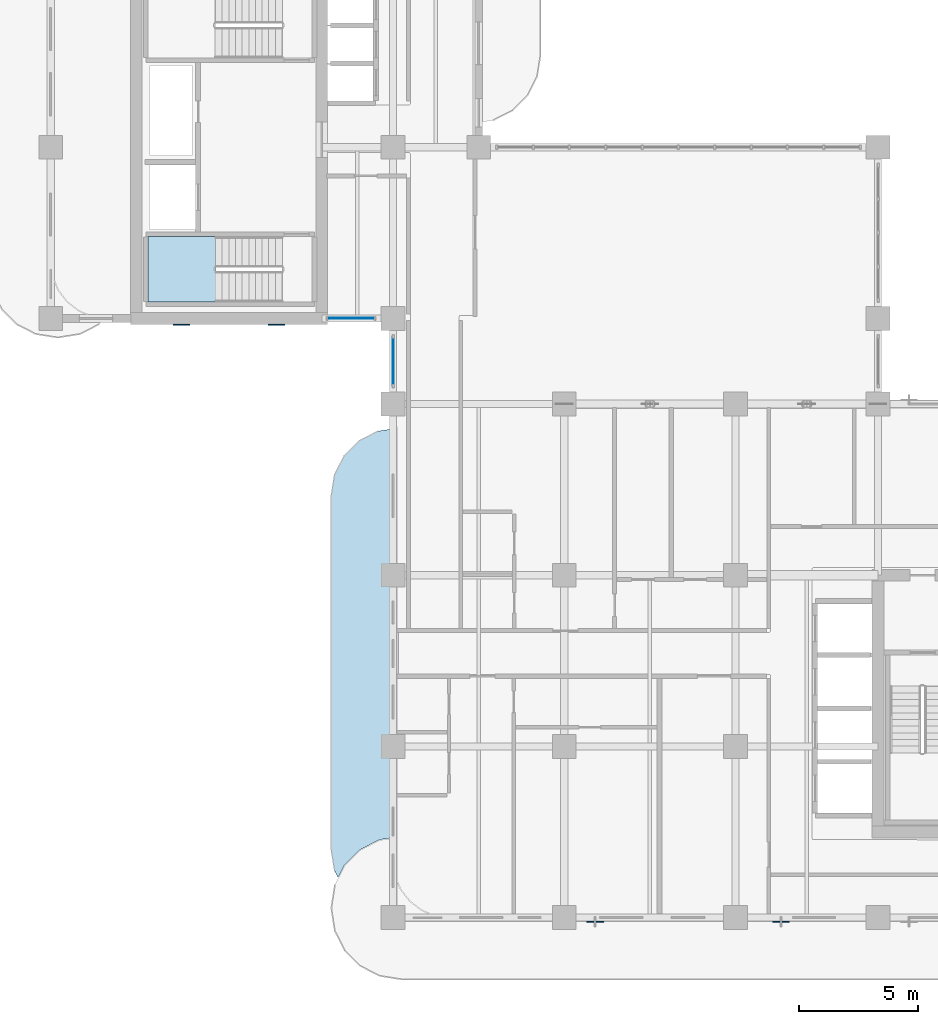
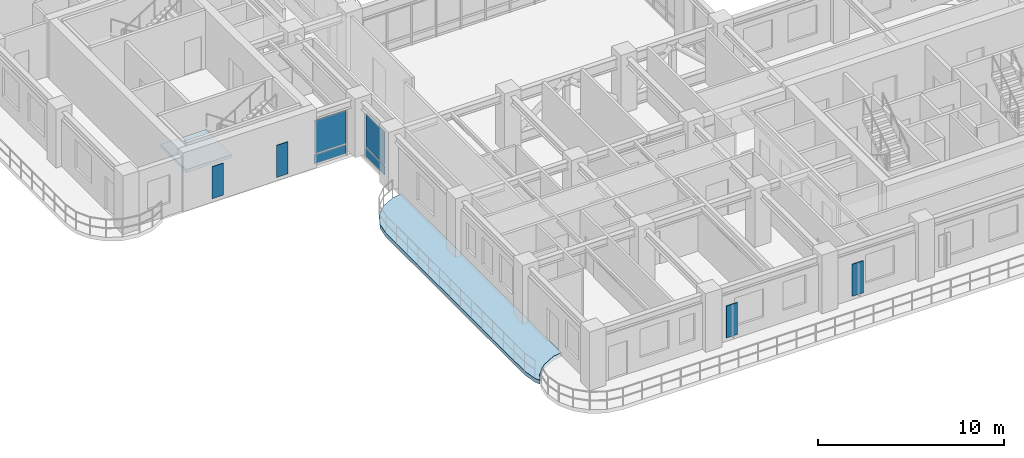
# One storey, part 5 of 17: 8 plates, 2 slabs, 3 elements without a shape of their own.
"""IFC4 building model written with IfcOpenShell, lengths in metres."""

import ifcopenshell
import ifcopenshell.guid

model = None  # the IFC model being written
_history = None  # IfcOwnerHistory: only IFC2X3 demands one
_inside = {}  # id of a spatial element -> (the spatial element, [elements in it])
_under = {}  # id of a project, library or spatial element -> (it, [spatial elements below it])
_declared = {}  # id of a project -> (the project, [libraries it declares])
_typed = {}  # id of a type object -> (the type object, [elements of that type])
_made_of = {}  # id of a material, layer set ... -> (it, [elements and type objects made of it])


def new_model(schema):
    """Start an empty IFC model of exactly this schema.

    Asked for "IFC4X3", IfcOpenShell would pick the latest addendum, in which some entities
    have other attributes; the version numbers below select the first issue.
    IFC2X3 requires an IfcOwnerHistory on every rooted entity: one is made here for all.
    """
    global model, _history
    if schema == "IFC4X3":
        model = ifcopenshell.file(schema_version=(4, 3, 0, 0))
    else:
        model = ifcopenshell.file(schema=schema)
    _inside.clear()
    _under.clear()
    _declared.clear()
    _typed.clear()
    _made_of.clear()
    _history = None
    if model.schema == "IFC2X3":
        org = make("IfcOrganization", Name="unknown")
        user = make(
            "IfcPersonAndOrganization",
            ThePerson=make("IfcPerson", FamilyName="unknown"),
            TheOrganization=org,
        )
        app = make(
            "IfcApplication",
            ApplicationDeveloper=org,
            Version="unknown",
            ApplicationFullName="unknown",
            ApplicationIdentifier="unknown",
        )
        _history = make(
            "IfcOwnerHistory",
            OwningUser=user,
            OwningApplication=app,
            ChangeAction="ADDED",
            CreationDate=0,
        )
    return model


def make(cls, **values):
    """One entity of the class cls with the attributes given. An attribute that is None is left unset."""
    return model.create_entity(
        cls, **{name: value for name, value in values.items() if value is not None}
    )


def rooted(cls, **values):
    """An entity with a GlobalId (a new one), such as an element, a storey or a relation."""
    return make(cls, GlobalId=ifcopenshell.guid.new(), OwnerHistory=_history, **values)


def si_unit(unit_type, name, prefix=None):
    """IfcSIUnit, for example si_unit("LENGTHUNIT", "METRE", prefix="MILLI")."""
    return make("IfcSIUnit", UnitType=unit_type, Prefix=prefix, Name=name)


def derived_unit(unit_type, elements):
    """IfcDerivedUnit: a product of units, each with its exponent."""
    return make(
        "IfcDerivedUnit",
        Elements=[
            make("IfcDerivedUnitElement", Unit=unit, Exponent=power)
            for unit, power in elements
        ],
        UnitType=unit_type,
    )


def assignment(units):
    """IfcUnitAssignment: the units of a project."""
    return None if units is None else make("IfcUnitAssignment", Units=units)


def point(xyz):
    """IfcCartesianPoint."""
    return None if xyz is None else make("IfcCartesianPoint", Coordinates=xyz)


def direction(xyz):
    """IfcDirection."""
    return None if xyz is None else make("IfcDirection", DirectionRatios=xyz)


def frame(location, z_axis=None, x_axis=None):
    """IfcAxis2Placement3D, a coordinate frame: its origin and axes. An axis left out is left unset."""
    return make(
        "IfcAxis2Placement3D",
        Location=point(location),
        Axis=direction(z_axis),
        RefDirection=direction(x_axis),
    )


def frame_2d(location, x_axis=None):
    """IfcAxis2Placement2D, a coordinate frame in the plane: its origin and x axis."""
    return make(
        "IfcAxis2Placement2D", Location=point(location), RefDirection=direction(x_axis)
    )


def origin():
    """The frame at (0, 0, 0) with its axes left unset."""
    return frame((0.0, 0.0, 0.0))


def origin_2d():
    """The frame at (0, 0) in the plane with its x axis left unset."""
    return frame_2d((0.0, 0.0))


def place(relative_to, where):
    """IfcLocalPlacement: puts the frame where relative to a parent placement (None: the world)."""
    return make(
        "IfcLocalPlacement", PlacementRelTo=relative_to, RelativePlacement=where
    )


def context(
    kind, dimensions, precision=None, world=None, true_north=None, identifier=None
):
    """IfcGeometricRepresentationContext, for example the 3D "Model" context."""
    return make(
        "IfcGeometricRepresentationContext",
        ContextIdentifier=identifier,
        ContextType=kind,
        CoordinateSpaceDimension=dimensions,
        Precision=precision,
        WorldCoordinateSystem=world,
        TrueNorth=true_north,
    )


def subcontext(parent, identifier, kind, view, scale=None):
    """IfcGeometricRepresentationSubContext, for example "Body" below "Model"."""
    return make(
        "IfcGeometricRepresentationSubContext",
        ContextIdentifier=identifier,
        ContextType=kind,
        ParentContext=parent,
        TargetScale=scale,
        TargetView=view,
    )


def project(units=None, contexts=None):
    """IfcProject with its units and contexts."""
    return rooted(
        "IfcProject",
        Name="project",
        RepresentationContexts=contexts,
        UnitsInContext=assignment(units),
    )


def spatial(cls, under=None, at=None, **own):
    """A site, building, storey or space (cls), placed at a placement, below another one or the project."""
    s = rooted(cls, ObjectPlacement=at, **own)
    if under is not None:
        _under.setdefault(under.id(), (under, []))[1].append(s)
    return s


def polyline(points):
    """IfcPolyline through the points."""
    return make("IfcPolyline", Points=[point(p) for p in points])


def profile(cls, at=None, kind="AREA", **sizes):
    """A parametric profile (cls). Its sizes go by their IFC names, for example OverallWidth=200.0."""
    return make(cls, ProfileType=kind, Position=at, **sizes)


def rectangle(**sizes):
    """IfcRectangleProfileDef."""
    return profile("IfcRectangleProfileDef", **sizes)


def outline(outer, holes=None, kind="AREA"):
    """IfcArbitraryClosedProfileDef: a profile drawn as a closed curve; with holes, ...WithVoids."""
    if holes is None:
        return make("IfcArbitraryClosedProfileDef", ProfileType=kind, OuterCurve=outer)
    return make(
        "IfcArbitraryProfileDefWithVoids",
        ProfileType=kind,
        OuterCurve=outer,
        InnerCurves=holes,
    )


def extrude(swept, where, along, depth):
    """IfcExtrudedAreaSolid: the profile swept, set in the frame where, extruded along a direction by depth."""
    return make(
        "IfcExtrudedAreaSolid",
        SweptArea=swept,
        Position=where,
        ExtrudedDirection=direction(along),
        Depth=depth,
    )


def shape(context_of_items, identifier, shape_type, items):
    """IfcShapeRepresentation: the items that make up one representation, for example the "Body"."""
    return make(
        "IfcShapeRepresentation",
        ContextOfItems=context_of_items,
        RepresentationIdentifier=identifier,
        RepresentationType=shape_type,
        Items=items,
    )


def source(mapping_origin, context_of_items, identifier, shape_type, items):
    """IfcRepresentationMap: a shape defined once, which mapped items show again and again."""
    return make(
        "IfcRepresentationMap",
        MappingOrigin=mapping_origin,
        MappedRepresentation=shape(context_of_items, identifier, shape_type, items),
    )


def transform(
    local_origin,
    x_axis=None,
    y_axis=None,
    z_axis=None,
    scale=None,
    scale2=None,
    scale3=None,
    uniform=True,
):
    """IfcCartesianTransformationOperator3D, or its non-uniform kind. x_axis, y_axis, z_axis: its Axis1, 2, 3."""
    if uniform:
        return make(
            "IfcCartesianTransformationOperator3D",
            Axis1=direction(x_axis),
            Axis2=direction(y_axis),
            LocalOrigin=point(local_origin),
            Scale=scale,
            Axis3=direction(z_axis),
        )
    return make(
        "IfcCartesianTransformationOperator3DnonUniform",
        Axis1=direction(x_axis),
        Axis2=direction(y_axis),
        LocalOrigin=point(local_origin),
        Scale=scale,
        Axis3=direction(z_axis),
        Scale2=scale2,
        Scale3=scale3,
    )


def mapped(mapping_source, mapping_target):
    """IfcMappedItem: shows the shape of a source again, moved by a transform."""
    return make(
        "IfcMappedItem", MappingSource=mapping_source, MappingTarget=mapping_target
    )


def material(Name=None, Category=None):
    """IfcMaterial."""
    return make("IfcMaterial", Name=Name, Category=Category)


def layer(
    of_material, thickness, ventilated=None, Name=None, Category=None, Priority=None
):
    """IfcMaterialLayer: one layer of a wall or slab, of a material (None: an air gap)."""
    return make(
        "IfcMaterialLayer",
        Material=of_material,
        LayerThickness=thickness,
        IsVentilated=ventilated,
        Name=Name,
        Category=Category,
        Priority=Priority,
    )


def layer_set(layers, Name=None):
    """IfcMaterialLayerSet."""
    return make("IfcMaterialLayerSet", MaterialLayers=layers, LayerSetName=Name)


def made_of(thing, what):
    """Note that an element or type object is made of a material, layer set ...; save() writes the relation."""
    if what is not None:
        _made_of.setdefault(what.id(), (what, []))[1].append(thing)
    return thing


def type_object(cls, material=None, **own):
    """A type object (cls), such as IfcWallType, which elements share."""
    return made_of(rooted(cls, **own), material)


def type_shapes(of_type, sources):
    """Give a type object the sources (RepresentationMaps) that its elements show as mapped items."""
    of_type.RepresentationMaps = sources


def element(
    cls,
    number,
    at=None,
    inside=None,
    cuts=None,
    type_object=None,
    material=None,
    context=None,
    identifier="Body",
    shape_type=None,
    held_by="IfcProductDefinitionShape",
    body=None,
    shapes=None,
    **own,
):
    """One element of the class cls, such as IfcWall. Its Tag is "e" and its number.

    at: its placement. inside: the storey or other place that contains it. cuts: it is an
    opening in that element (IfcRelVoidsElement). A single representation is given by context,
    identifier, shape_type and body (its items); several are given by shapes. held_by: the class
    of the entity that holds the representations. save() writes the other relations.
    """
    e = rooted(cls, Tag="e%d" % number, ObjectPlacement=at, **own)
    if body is not None:
        shapes = [shape(context, identifier, shape_type, body)]
    if shapes is not None:
        e.Representation = make(held_by, Representations=shapes)
    if inside is not None:
        _inside.setdefault(inside.id(), (inside, []))[1].append(e)
    if cuts is not None:
        rooted(
            "IfcRelVoidsElement", RelatingBuildingElement=cuts, RelatedOpeningElement=e
        )
    if type_object is not None:
        _typed.setdefault(type_object.id(), (type_object, []))[1].append(e)
    return made_of(e, material)


def aggregate(whole, parts):
    """IfcRelAggregates: a whole, such as a stair, and the parts it consists of."""
    return rooted("IfcRelAggregates", RelatingObject=whole, RelatedObjects=parts)


def save(model, path):
    """Write the relations noted so far, then the file.

    IfcRelAggregates (storeys below a building ...), IfcRelContainedInSpatialStructure (elements
    in a storey), IfcRelDefinesByType, IfcRelAssociatesMaterial and IfcRelDeclares: one each for
    every whole, place, type object, material and project.
    """
    for whole, parts in _under.values():
        aggregate(whole, parts)
    for where, things in _inside.values():
        rooted(
            "IfcRelContainedInSpatialStructure",
            RelatedElements=things,
            RelatingStructure=where,
        )
    for kind, things in _typed.values():
        rooted("IfcRelDefinesByType", RelatedObjects=things, RelatingType=kind)
    for what, things in _made_of.values():
        rooted("IfcRelAssociatesMaterial", RelatedObjects=things, RelatingMaterial=what)
    for by, libraries in _declared.values():
        rooted("IfcRelDeclares", RelatingContext=by, RelatedDefinitions=libraries)
    model.write(path)


model = new_model("IFC4")

# Units and contexts
model_context = context("Model", 3, precision=1e-05, world=origin(), true_north=direction((0.0, 1.0)))
body_context = subcontext(model_context, "Body", "Model", "MODEL_VIEW")
ifc_project = project(units=[si_unit("LENGTHUNIT", "METRE"), si_unit("AREAUNIT", "SQUARE_METRE"), si_unit("VOLUMEUNIT", "CUBIC_METRE"), si_unit("PLANEANGLEUNIT", "RADIAN"), si_unit("MASSUNIT", "GRAM", prefix="KILO"), si_unit("THERMODYNAMICTEMPERATUREUNIT", "KELVIN"), si_unit("POWERUNIT", "WATT"), derived_unit("THERMALTRANSMITTANCEUNIT", [(si_unit("POWERUNIT", "WATT"), 1), (si_unit("AREAUNIT", "SQUARE_METRE"), -1), (si_unit("THERMODYNAMICTEMPERATUREUNIT", "KELVIN"), -1)])], contexts=[model_context])

# Site, building, storey
site_placement = place(None, origin())
site = spatial("IfcSite", under=ifc_project, at=site_placement, CompositionType="ELEMENT")
building_placement = place(site_placement, origin())
building = spatial("IfcBuilding", under=site, at=building_placement, Name="Zahravan Archway Hotel and Residences", CompositionType="ELEMENT")
storey_placement = place(building_placement, frame((0.0, 0.0, 192.64990234375)))
storey = spatial("IfcBuildingStorey", under=building, at=storey_placement, Name="L48", CompositionType="ELEMENT", Elevation=192.64990234375)

# Slab
ifc_material_1 = material(Name="Concrete C45/55", Category="concrete")
ifc_layer_1 = layer(ifc_material_1, 0.25, Name="Concrete C45/55", Category="concrete")
ifc_layer_set_1 = layer_set([ifc_layer_1], Name="Concrete C45/55")
slab_type_1 = type_object("IfcSlabType", Name="SLB-BALC-250", PredefinedType="FLOOR", material=ifc_layer_set_1)
slab_1_placement = place(storey_placement, frame((0.0, 0.0, -0.25)))
element("IfcSlab", 1, at=slab_1_placement, inside=storey, type_object=slab_type_1, Name="L48 Wing A West Rounded Balcony Band", PredefinedType="FLOOR", context=body_context, shape_type="SweptSolid", body=[
    extrude(outline(polyline([(11.939453125, 1.96923828125), (11.800048828125, 2.85009765625), (11.800048828125, 17.75), (11.939453125, 18.630615234375), (12.34423828125, 19.42529296875), (12.974853515625, 20.0556640625), (13.769287109375, 20.46044921875), (14.3798828125, 20.55712890625), (14.3798828125, 3.361328125), (14.37890625, 3.361328125), (14.376953125, 3.361083984375), (13.835205078125, 3.275390625), (13.833251953125, 3.27490234375), (13.831298828125, 3.2744140625), (13.829345703125, 3.2734375), (13.0068359375, 2.8544921875), (13.005126953125, 2.853515625), (13.00341796875, 2.85205078125), (13.001953125, 2.8505859375), (12.349365234375, 2.197998046875), (12.347900390625, 2.196533203125), (12.3466796875, 2.19482421875), (12.345703125, 2.193115234375), (12.08544921875, 1.6826171875), (11.939453125, 1.96923828125)])), origin(), (0.0, 0.0, 1.0), 0.25),
])

# Stair, slab
ifc_material_2 = material(Name="Concrete C50/60", Category="concrete")
stair_type = type_object("IfcStairType", Name="STR-CORE-1300", PredefinedType="HALF_TURN_STAIR", material=ifc_material_2)
stair_placement = place(storey_placement, origin())
stair = element("IfcStair", 2, at=stair_placement, inside=storey, type_object=stair_type, Name="L48 Core B Exit Stair 1", PredefinedType="HALF_TURN_STAIR")
ifc_layer_2 = layer(ifc_material_2, 0.199951171875, Name="Concrete C50/60", Category="concrete")
ifc_layer_set_2 = layer_set([ifc_layer_2], Name="Concrete C50/60")
slab_type_2 = type_object("IfcSlabType", Name="SLB-LND-200", PredefinedType="LANDING", material=ifc_layer_set_2)
slab_2_placement = place(storey_placement, frame((0.0, 0.0, 1.72509765625)))
slab_2 = element("IfcSlab", 3, at=slab_2_placement, type_object=slab_type_2, Name="ST-B1 landing 1", PredefinedType="LANDING", context=body_context, shape_type="SweptSolid", body=[
    extrude(outline(polyline([(6.929931640625, 28.639892578125), (4.10009765625, 28.639892578125), (4.10009765625, 25.89990234375), (6.929931640625, 25.89990234375), (6.929931640625, 28.639892578125)])), origin(), (0.0, 0.0, 1.0), 0.199951171875),
])
aggregate(stair, [slab_2])

# Plates
ifc_material_3 = material(Name="Perforated Cast Bronze Jali Lattice")
ifc_layer_3 = layer(ifc_material_3, 0.044921875, Name="Perforated Cast Bronze Jali Lattice")
ifc_layer_set_3 = layer_set([ifc_layer_3], Name="Perforated Cast Bronze Jali Lattice")
plate_type_1 = type_object("IfcPlateType", Name="PLT-JALI-BAY", PredefinedType="USERDEFINED", material=ifc_layer_set_3)
shared_shape_1 = source(origin(), body_context, "Body", "SweptSolid", [
    extrude(rectangle(XDim=0.699951171875, YDim=0.044921875, at=origin_2d()), origin(), (0.0, 0.0, 1.0), 2.10009765625),
])
type_shapes(plate_type_1, [shared_shape_1])
for number, where, z_axis, x_axis, name in (
    (4, (5.5, 24.931884765625, 0.25), (0.0, 0.0, 1.0), (1.0, 0.0, 0.0), "L48 Core B South Mughal Jali Screen 1"),
    (5, (9.5, 24.931884765625, 0.25), (0.0, 0.0, 1.0), (1.0, 0.0, 0.0), "L48 Core B South Mughal Jali Screen 2"),
    (6, (22.89990234375, -0.177978515625, 0.25), (0.0, 0.0, 1.0), (1.0, 0.0, 0.0), "L48 Perforated Bronze Jali Pier Screen 01"),
    (7, (30.7080078125, -0.177978515625, 0.25), (0.0, 0.0, 1.0), (1.0, 0.0, 0.0), "L48 Perforated Bronze Jali Pier Screen 02"),
):
    element("IfcPlate", number, at=place(storey_placement, frame(where, z_axis=z_axis, x_axis=x_axis)), inside=storey, type_object=plate_type_1, Name=name, ObjectType="SCREEN", PredefinedType="USERDEFINED", context=body_context, shape_type="MappedRepresentation", body=[
        mapped(shared_shape_1, transform((0.0, 0.0, 0.0), scale=1.0)),
    ])

# Curtain wall, plates
ifc_material_4 = material(Name="Bronze-Anodized Unitised Aluminium & Low-E Glass", Category="aluminium")
ifc_layer_4 = layer(ifc_material_4, 0.179931640625, Name="Bronze-Anodized Unitised Aluminium & Low-E Glass", Category="aluminium")
ifc_layer_set_4 = layer_set([ifc_layer_4], Name="Bronze-Anodized Unitised Aluminium & Low-E Glass")
curtain_wall_type = type_object("IfcCurtainWallType", Name="CW-SBG-2", PredefinedType="NOTDEFINED", material=ifc_layer_set_4)
curtain_wall_1_placement = place(storey_placement, origin())
curtain_wall_1 = element("IfcCurtainWall", 8, at=curtain_wall_1_placement, inside=storey, type_object=curtain_wall_type, Name="L48 Curtain Wall CW-L48-WA-WLU-1", PredefinedType="NOTDEFINED")
ifc_material_5 = material(Name="Insulated Terracotta Spandrel Panel", Category="masonry")
ifc_layer_5 = layer(ifc_material_5, 0.0400390625, Name="Insulated Terracotta Spandrel Panel", Category="masonry")
ifc_layer_set_5 = layer_set([ifc_layer_5], Name="Insulated Terracotta Spandrel Panel")
plate_type_2 = type_object("IfcPlateType", Name="CWP-SPN-40", PredefinedType="SHEET", material=ifc_layer_set_5)
shared_shape_2 = source(origin(), body_context, "Body", "SweptSolid", [
    extrude(rectangle(XDim=2.0, YDim=0.0400390625, at=origin_2d()), origin(), (0.0, 0.0, 1.0), 0.58837890625),
])
plate_1_placement = place(storey_placement, frame((14.39990234375, 23.39990234375, 0.10009765625), z_axis=(0.0, 0.0, 1.0), x_axis=(0.0, 1.0, 0.0)))
plate_1 = element("IfcPlate", 9, at=plate_1_placement, type_object=plate_type_2, Name="CW-L48-WA-WLU-1 Spandrel Panel 0", PredefinedType="SHEET", context=body_context, shape_type="MappedRepresentation", body=[
    mapped(shared_shape_2, transform((0.0, 0.0, 0.0), scale=1.0)),
])
ifc_material_6 = material(Name="Double-Silver Low-E Insulated Vision Glass", Category="glass")
ifc_layer_6 = layer(ifc_material_6, 0.028076171875, Name="Double-Silver Low-E Insulated Vision Glass", Category="glass")
ifc_layer_set_6 = layer_set([ifc_layer_6], Name="Double-Silver Low-E Insulated Vision Glass")
plate_type_3 = type_object("IfcPlateType", Name="CWP-GLZ-28", PredefinedType="CURTAIN_PANEL", material=ifc_layer_set_6)
shared_shape_3 = source(origin(), body_context, "Body", "SweptSolid", [
    extrude(rectangle(XDim=2.0, YDim=0.028076171875, at=origin_2d()), origin(), (0.0, 0.0, 1.0), 2.16650390625),
])
plate_2_placement = place(storey_placement, frame((14.39990234375, 23.39990234375, 0.7685546875), z_axis=(0.0, 0.0, 1.0), x_axis=(0.0, 1.0, 0.0)))
plate_2 = element("IfcPlate", 10, at=plate_2_placement, type_object=plate_type_3, Name="CW-L48-WA-WLU-1 Low-E Vision Panel 0", PredefinedType="CURTAIN_PANEL", context=body_context, shape_type="MappedRepresentation", body=[
    mapped(shared_shape_3, transform((0.0, 0.0, 0.0), scale=1.0)),
])
aggregate(curtain_wall_1, [plate_1, plate_2])

curtain_wall_2_placement = place(storey_placement, origin())
curtain_wall_2 = element("IfcCurtainWall", 11, at=curtain_wall_2_placement, inside=storey, type_object=curtain_wall_type, Name="L48 Curtain Wall CW-L48-WB-SE-1", PredefinedType="NOTDEFINED")
shared_shape_4 = source(origin(), body_context, "Body", "SweptSolid", [
    extrude(rectangle(XDim=1.93994140625, YDim=0.0400390625, at=origin_2d()), origin(), (0.0, 0.0, 1.0), 0.58837890625),
])
plate_3_placement = place(storey_placement, frame((12.6298828125, 25.199951171875, 0.10009765625), z_axis=(0.0, 0.0, 1.0), x_axis=(1.0, 0.0, 0.0)))
plate_3 = element("IfcPlate", 12, at=plate_3_placement, type_object=plate_type_2, Name="CW-L48-WB-SE-1 Spandrel Panel 0", PredefinedType="SHEET", context=body_context, shape_type="MappedRepresentation", body=[
    mapped(shared_shape_4, transform((0.0, 0.0, 0.0), scale=1.0)),
])
shared_shape_5 = source(origin(), body_context, "Body", "SweptSolid", [
    extrude(rectangle(XDim=1.93994140625, YDim=0.028076171875, at=origin_2d()), origin(), (0.0, 0.0, 1.0), 2.16650390625),
])
plate_4_placement = place(storey_placement, frame((12.6298828125, 25.199951171875, 0.7685546875), z_axis=(0.0, 0.0, 1.0), x_axis=(1.0, 0.0, 0.0)))
plate_4 = element("IfcPlate", 13, at=plate_4_placement, type_object=plate_type_3, Name="CW-L48-WB-SE-1 Low-E Vision Panel 0", PredefinedType="CURTAIN_PANEL", context=body_context, shape_type="MappedRepresentation", body=[
    mapped(shared_shape_5, transform((0.0, 0.0, 0.0), scale=1.0)),
])
aggregate(curtain_wall_2, [plate_3, plate_4])

save(model, "model.ifc")
